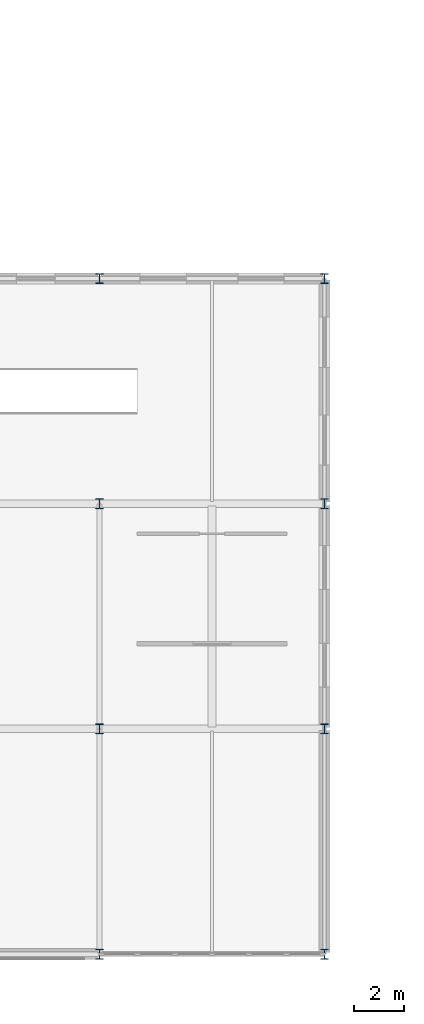
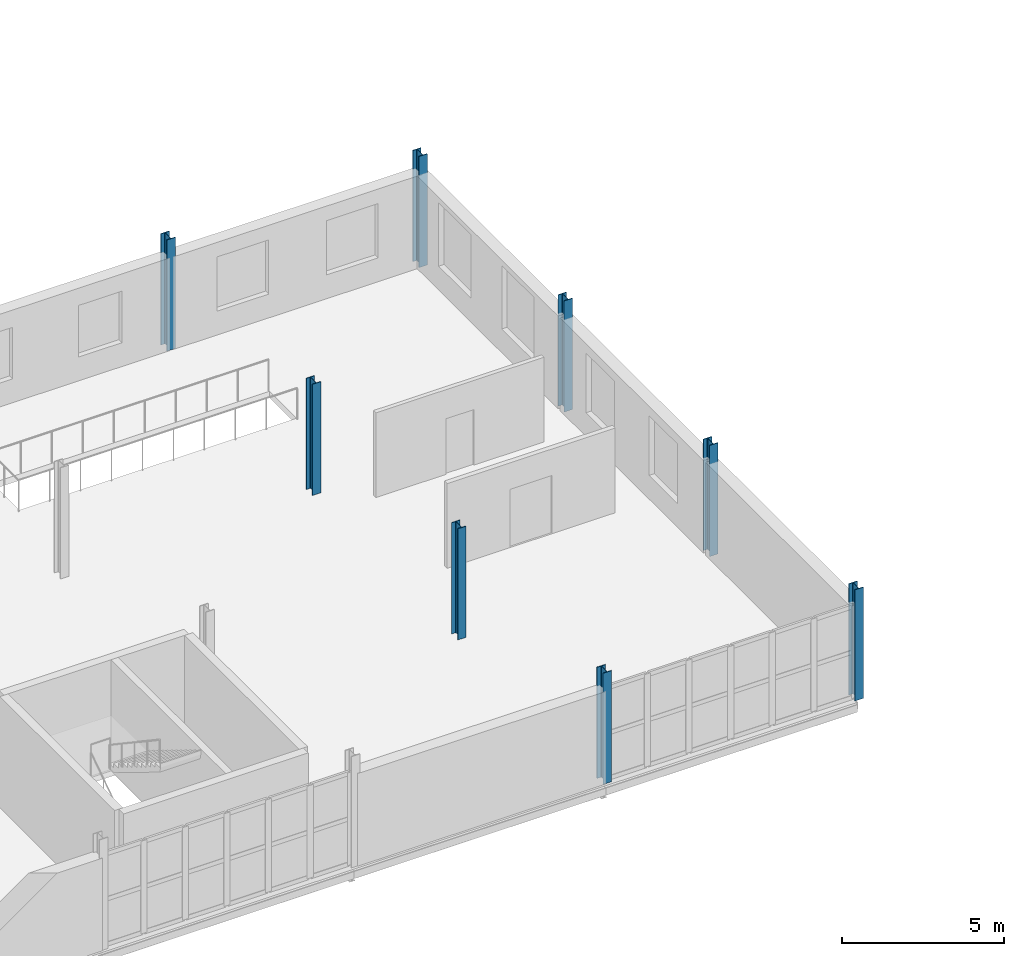
# One storey, part 5 of 161: 8 columns.
"""IFC4 building model written with IfcOpenShell, lengths in metres."""

import ifcopenshell
import ifcopenshell.guid

model = None  # the IFC model being written
_history = None  # IfcOwnerHistory: only IFC2X3 demands one
_inside = {}  # id of a spatial element -> (the spatial element, [elements in it])
_under = {}  # id of a project, library or spatial element -> (it, [spatial elements below it])
_declared = {}  # id of a project -> (the project, [libraries it declares])
_typed = {}  # id of a type object -> (the type object, [elements of that type])
_made_of = {}  # id of a material, layer set ... -> (it, [elements and type objects made of it])


def new_model(schema):
    """Start an empty IFC model of exactly this schema.

    Asked for "IFC4X3", IfcOpenShell would pick the latest addendum, in which some entities
    have other attributes; the version numbers below select the first issue.
    IFC2X3 requires an IfcOwnerHistory on every rooted entity: one is made here for all.
    """
    global model, _history
    if schema == "IFC4X3":
        model = ifcopenshell.file(schema_version=(4, 3, 0, 0))
    else:
        model = ifcopenshell.file(schema=schema)
    _inside.clear()
    _under.clear()
    _declared.clear()
    _typed.clear()
    _made_of.clear()
    _history = None
    if model.schema == "IFC2X3":
        org = make("IfcOrganization", Name="unknown")
        user = make(
            "IfcPersonAndOrganization",
            ThePerson=make("IfcPerson", FamilyName="unknown"),
            TheOrganization=org,
        )
        app = make(
            "IfcApplication",
            ApplicationDeveloper=org,
            Version="unknown",
            ApplicationFullName="unknown",
            ApplicationIdentifier="unknown",
        )
        _history = make(
            "IfcOwnerHistory",
            OwningUser=user,
            OwningApplication=app,
            ChangeAction="ADDED",
            CreationDate=0,
        )
    return model


def make(cls, **values):
    """One entity of the class cls with the attributes given. An attribute that is None is left unset."""
    return model.create_entity(
        cls, **{name: value for name, value in values.items() if value is not None}
    )


def rooted(cls, **values):
    """An entity with a GlobalId (a new one), such as an element, a storey or a relation."""
    return make(cls, GlobalId=ifcopenshell.guid.new(), OwnerHistory=_history, **values)


def si_unit(unit_type, name, prefix=None):
    """IfcSIUnit, for example si_unit("LENGTHUNIT", "METRE", prefix="MILLI")."""
    return make("IfcSIUnit", UnitType=unit_type, Prefix=prefix, Name=name)


def assignment(units):
    """IfcUnitAssignment: the units of a project."""
    return None if units is None else make("IfcUnitAssignment", Units=units)


def point(xyz):
    """IfcCartesianPoint."""
    return None if xyz is None else make("IfcCartesianPoint", Coordinates=xyz)


def direction(xyz):
    """IfcDirection."""
    return None if xyz is None else make("IfcDirection", DirectionRatios=xyz)


def frame(location, z_axis=None, x_axis=None):
    """IfcAxis2Placement3D, a coordinate frame: its origin and axes. An axis left out is left unset."""
    return make(
        "IfcAxis2Placement3D",
        Location=point(location),
        Axis=direction(z_axis),
        RefDirection=direction(x_axis),
    )


def frame_2d(location, x_axis=None):
    """IfcAxis2Placement2D, a coordinate frame in the plane: its origin and x axis."""
    return make(
        "IfcAxis2Placement2D", Location=point(location), RefDirection=direction(x_axis)
    )


def origin():
    """The frame at (0, 0, 0) with its axes left unset."""
    return frame((0.0, 0.0, 0.0))


def origin_2d():
    """The frame at (0, 0) in the plane with its x axis left unset."""
    return frame_2d((0.0, 0.0))


def place(relative_to, where):
    """IfcLocalPlacement: puts the frame where relative to a parent placement (None: the world)."""
    return make(
        "IfcLocalPlacement", PlacementRelTo=relative_to, RelativePlacement=where
    )


def context(
    kind, dimensions, precision=None, world=None, true_north=None, identifier=None
):
    """IfcGeometricRepresentationContext, for example the 3D "Model" context."""
    return make(
        "IfcGeometricRepresentationContext",
        ContextIdentifier=identifier,
        ContextType=kind,
        CoordinateSpaceDimension=dimensions,
        Precision=precision,
        WorldCoordinateSystem=world,
        TrueNorth=true_north,
    )


def subcontext(parent, identifier, kind, view, scale=None):
    """IfcGeometricRepresentationSubContext, for example "Body" below "Model"."""
    return make(
        "IfcGeometricRepresentationSubContext",
        ContextIdentifier=identifier,
        ContextType=kind,
        ParentContext=parent,
        TargetScale=scale,
        TargetView=view,
    )


def project(units=None, contexts=None):
    """IfcProject with its units and contexts."""
    return rooted(
        "IfcProject",
        Name="project",
        RepresentationContexts=contexts,
        UnitsInContext=assignment(units),
    )


def spatial(cls, under=None, at=None, **own):
    """A site, building, storey or space (cls), placed at a placement, below another one or the project."""
    s = rooted(cls, ObjectPlacement=at, **own)
    if under is not None:
        _under.setdefault(under.id(), (under, []))[1].append(s)
    return s


def profile(cls, at=None, kind="AREA", **sizes):
    """A parametric profile (cls). Its sizes go by their IFC names, for example OverallWidth=200.0."""
    return make(cls, ProfileType=kind, Position=at, **sizes)


def i_section(**sizes):
    """IfcIShapeProfileDef."""
    return profile("IfcIShapeProfileDef", **sizes)


def extrude(swept, where, along, depth):
    """IfcExtrudedAreaSolid: the profile swept, set in the frame where, extruded along a direction by depth."""
    return make(
        "IfcExtrudedAreaSolid",
        SweptArea=swept,
        Position=where,
        ExtrudedDirection=direction(along),
        Depth=depth,
    )


def shape(context_of_items, identifier, shape_type, items):
    """IfcShapeRepresentation: the items that make up one representation, for example the "Body"."""
    return make(
        "IfcShapeRepresentation",
        ContextOfItems=context_of_items,
        RepresentationIdentifier=identifier,
        RepresentationType=shape_type,
        Items=items,
    )


def material(Name=None, Category=None):
    """IfcMaterial."""
    return make("IfcMaterial", Name=Name, Category=Category)


def material_profile(
    of_material, cross_section, Name=None, Category=None, Priority=None
):
    """IfcMaterialProfile: a cross section and its material."""
    return make(
        "IfcMaterialProfile",
        Name=Name,
        Material=of_material,
        Profile=cross_section,
        Priority=Priority,
        Category=Category,
    )


def profile_set(profiles, Name=None, composite=None):
    """IfcMaterialProfileSet."""
    return make(
        "IfcMaterialProfileSet",
        Name=Name,
        MaterialProfiles=profiles,
        CompositeProfile=composite,
    )


def made_of(thing, what):
    """Note that an element or type object is made of a material, layer set ...; save() writes the relation."""
    if what is not None:
        _made_of.setdefault(what.id(), (what, []))[1].append(thing)
    return thing


def type_object(cls, material=None, **own):
    """A type object (cls), such as IfcWallType, which elements share."""
    return made_of(rooted(cls, **own), material)


def element(
    cls,
    number,
    at=None,
    inside=None,
    cuts=None,
    type_object=None,
    material=None,
    context=None,
    identifier="Body",
    shape_type=None,
    held_by="IfcProductDefinitionShape",
    body=None,
    shapes=None,
    **own,
):
    """One element of the class cls, such as IfcWall. Its Tag is "e" and its number.

    at: its placement. inside: the storey or other place that contains it. cuts: it is an
    opening in that element (IfcRelVoidsElement). A single representation is given by context,
    identifier, shape_type and body (its items); several are given by shapes. held_by: the class
    of the entity that holds the representations. save() writes the other relations.
    """
    e = rooted(cls, Tag="e%d" % number, ObjectPlacement=at, **own)
    if body is not None:
        shapes = [shape(context, identifier, shape_type, body)]
    if shapes is not None:
        e.Representation = make(held_by, Representations=shapes)
    if inside is not None:
        _inside.setdefault(inside.id(), (inside, []))[1].append(e)
    if cuts is not None:
        rooted(
            "IfcRelVoidsElement", RelatingBuildingElement=cuts, RelatedOpeningElement=e
        )
    if type_object is not None:
        _typed.setdefault(type_object.id(), (type_object, []))[1].append(e)
    return made_of(e, material)


def aggregate(whole, parts):
    """IfcRelAggregates: a whole, such as a stair, and the parts it consists of."""
    return rooted("IfcRelAggregates", RelatingObject=whole, RelatedObjects=parts)


def save(model, path):
    """Write the relations noted so far, then the file.

    IfcRelAggregates (storeys below a building ...), IfcRelContainedInSpatialStructure (elements
    in a storey), IfcRelDefinesByType, IfcRelAssociatesMaterial and IfcRelDeclares: one each for
    every whole, place, type object, material and project.
    """
    for whole, parts in _under.values():
        aggregate(whole, parts)
    for where, things in _inside.values():
        rooted(
            "IfcRelContainedInSpatialStructure",
            RelatedElements=things,
            RelatingStructure=where,
        )
    for kind, things in _typed.values():
        rooted("IfcRelDefinesByType", RelatedObjects=things, RelatingType=kind)
    for what, things in _made_of.values():
        rooted("IfcRelAssociatesMaterial", RelatedObjects=things, RelatingMaterial=what)
    for by, libraries in _declared.values():
        rooted("IfcRelDeclares", RelatingContext=by, RelatedDefinitions=libraries)
    model.write(path)


model = new_model("IFC4")

# Units and contexts
model_context = context("Model", 3, precision=1e-05, world=origin(), true_north=direction((0.0, 1.0)))
body_context = subcontext(model_context, "Body", "Model", "MODEL_VIEW")
ifc_project = project(units=[si_unit("LENGTHUNIT", "METRE"), si_unit("AREAUNIT", "SQUARE_METRE"), si_unit("VOLUMEUNIT", "CUBIC_METRE"), si_unit("PLANEANGLEUNIT", "RADIAN"), si_unit("MASSUNIT", "GRAM", prefix="KILO")], contexts=[model_context])

# Site, building, storey
site_placement = place(None, origin())
site = spatial("IfcSite", under=ifc_project, at=site_placement, CompositionType="ELEMENT")
building_placement = place(site_placement, origin())
building = spatial("IfcBuilding", under=site, at=building_placement, Name="Kildeholm Park Wholesale Market", CompositionType="ELEMENT")
storey_placement = place(building_placement, frame((0.0, 0.0, 5.39990234375)))
storey = spatial("IfcBuildingStorey", under=building, at=storey_placement, Name="L01", CompositionType="ELEMENT", Elevation=5.39990234375)

# Columns
ifc_material = material(Name="Steel S355", Category="steel")
ifc_material_profile = material_profile(ifc_material, i_section(OverallWidth=0.300048828125, OverallDepth=0.39990234375, WebThickness=0.013427734375, FlangeThickness=0.02392578125, FilletRadius=0.027099609375, at=origin_2d()), Name="HEB 400")
ifc_profile_set = profile_set([ifc_material_profile], Name="Steel S355")
column_type = type_object("IfcColumnType", Name="Column C-S05 HEB 400", PredefinedType="COLUMN", material=ifc_profile_set)
for number, where, z_axis, x_axis, name in (
    (1, (72.0, 0.0, 0.0), (0.0, 0.0, 1.0), (1.0, 0.0, 0.0), "Column V5W-072-000 L01 COL-0736"),
    (2, (72.0, 9.0, 0.0), (0.0, 0.0, 1.0), (1.0, 0.0, 0.0), "Column V5W-072-009 L01 COL-0740"),
    (3, (72.0, 18.0, 0.0), (0.0, 0.0, 1.0), (1.0, 0.0, 0.0), "Column V5W-072-018 L01 COL-0744"),
    (4, (72.0, 27.0, 0.0), (0.0, 0.0, 1.0), (1.0, 0.0, 0.0), "Column V5W-072-027 L01 COL-0748"),
    (5, (81.0, 0.0, 0.0), (0.0, 0.0, 1.0), (1.0, 0.0, 0.0), "Column V5W-081-000 L01 COL-0750"),
    (6, (81.0, 9.0, 0.0), (0.0, 0.0, 1.0), (1.0, 0.0, 0.0), "Column V5W-081-009 L01 COL-0753"),
    (7, (81.0, 18.0, 0.0), (0.0, 0.0, 1.0), (1.0, 0.0, 0.0), "Column V5W-081-018 L01 COL-0756"),
    (8, (81.0, 27.0, 0.0), (0.0, 0.0, 1.0), (1.0, 0.0, 0.0), "Column V5W-081-027 L01 COL-0759"),
):
    element("IfcColumn", number, at=place(storey_placement, frame(where, z_axis=z_axis, x_axis=x_axis)), inside=storey, type_object=column_type, Name=name, PredefinedType="COLUMN", context=body_context, shape_type="SweptSolid", body=[
        extrude(i_section(OverallWidth=0.300048828125, OverallDepth=0.39990234375, WebThickness=0.013427734375, FlangeThickness=0.02392578125, FilletRadius=0.027099609375, at=origin_2d()), origin(), (0.0, 0.0, 1.0), 4.2001953125),
    ])

save(model, "model.ifc")
